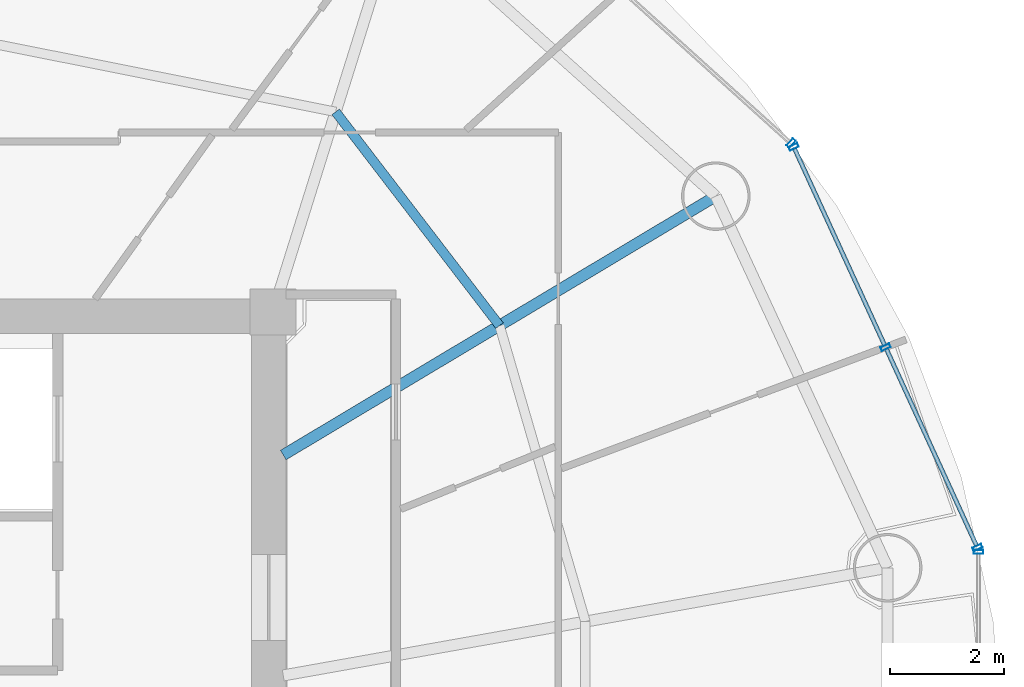
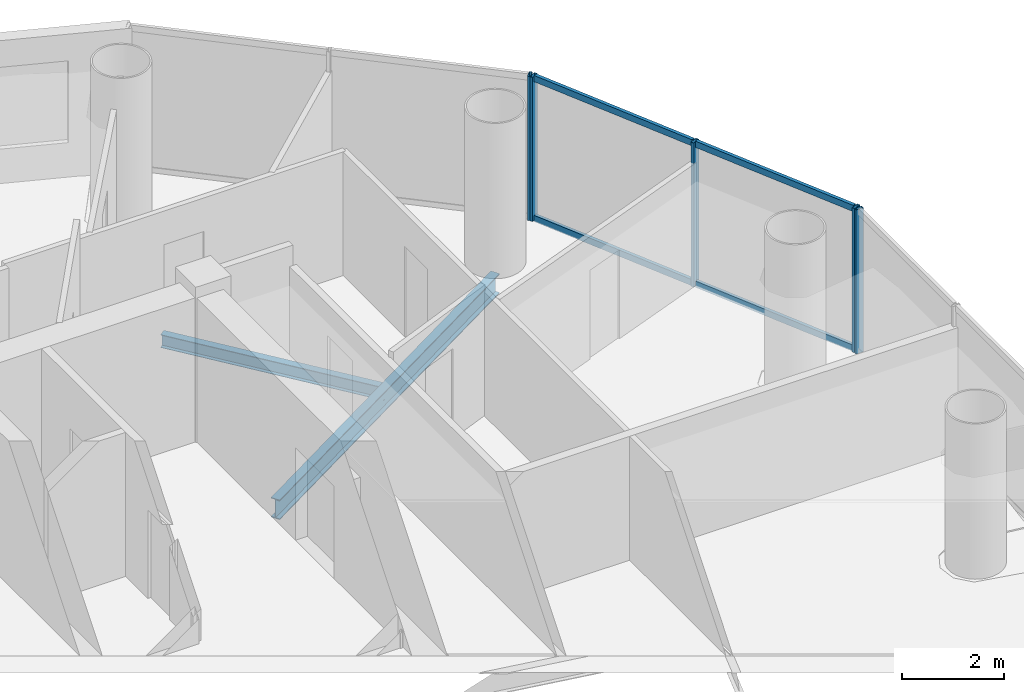
# One storey, part 13 of 26: 9 members, 2 beams, 3 elements without a shape of their own.
"""IFC4 building model written with IfcOpenShell, lengths in metres."""

from ifc_helpers import new_model, si_unit, direction, frame, origin, origin_2d, place, context, subcontext, project, spatial, hollow_rectangle, i_section, extrude, source, transform, mapped, material, material_profile, profile_set, type_object, element, aggregate, save


model = new_model("IFC4")

# Units and contexts
model_context = context("Model", 3, precision=1e-05, world=origin(), true_north=direction((-0.2419218956, 0.970295726276)))
body_context = subcontext(model_context, "Body", "Model", "MODEL_VIEW")
ifc_project = project(units=[si_unit("LENGTHUNIT", "METRE"), si_unit("AREAUNIT", "SQUARE_METRE"), si_unit("VOLUMEUNIT", "CUBIC_METRE"), si_unit("PLANEANGLEUNIT", "RADIAN"), si_unit("MASSUNIT", "GRAM", prefix="KILO")], contexts=[model_context])

# Site, building, storey
site_placement = place(None, origin())
site = spatial("IfcSite", under=ifc_project, at=site_placement, CompositionType="ELEMENT")
building_placement = place(site_placement, origin())
building = spatial("IfcBuilding", under=site, at=building_placement, Name="Cobrevalo Terracotta Tower", CompositionType="ELEMENT")
storey_placement = place(building_placement, frame((0.0, 0.0, 220.800048828125)))
storey = spatial("IfcBuildingStorey", under=building, at=storey_placement, Name="L58", CompositionType="ELEMENT", Elevation=220.800048828125)

# Beams
ifc_material_1 = material(Name="Steel S355", Category="steel")
ifc_material_profile_1 = material_profile(ifc_material_1, i_section(OverallWidth=0.194091796875, OverallDepth=0.468994140625, WebThickness=0.011474609375, FlangeThickness=0.0205078125, at=origin_2d()), Name="W 460x106")
ifc_profile_set_1 = profile_set([ifc_material_profile_1], Name="Steel S355")
beam_type_1 = type_object("IfcBeamType", Name="Structural Beam W 460x106 (Steel S355)", PredefinedType="BEAM", material=ifc_profile_set_1)
beam_1_placement = place(storey_placement, frame((54.754150390625, 36.828125, -0.49951171875), z_axis=(-0.858046392192, -0.513572184651, 0.0), x_axis=(0.513572184651, -0.858046392192, 0.0)))
element("IfcBeam", 1, at=beam_1_placement, inside=storey, type_object=beam_type_1, Name="L58 radial floor girder 02", PredefinedType="BEAM", context=body_context, shape_type="SweptSolid", body=[
    extrude(i_section(OverallWidth=0.194091796875, OverallDepth=0.468994140625, WebThickness=0.011474609375, FlangeThickness=0.0205078125, at=origin_2d()), origin(), (0.0, 0.0, 1.0), 8.827392578125),
])
ifc_material_profile_2 = material_profile(ifc_material_1, i_section(OverallWidth=0.1650390625, OverallDepth=0.31005859375, WebThickness=0.005859375, FlangeThickness=0.009765625, at=origin_2d()), Name="W 310x38.7")
ifc_profile_set_2 = profile_set([ifc_material_profile_2], Name="Steel S355")
beam_type_2 = type_object("IfcBeamType", Name="Structural Joist W 310x38.7 (Steel S355)", PredefinedType="JOIST", material=ifc_profile_set_2)
beam_2_placement = place(storey_placement, frame((50.967041015625, 34.561279296875, -0.420166015625), z_axis=(-0.608464146296, 0.793581364872, 0.0), x_axis=(-0.793581364872, -0.608464146296, 0.0)))
element("IfcBeam", 2, at=beam_2_placement, inside=storey, type_object=beam_type_2, Name="L58 circumferential secondary floor joist 02", PredefinedType="JOIST", context=body_context, shape_type="SweptSolid", body=[
    extrude(i_section(OverallWidth=0.1650390625, OverallDepth=0.31005859375, WebThickness=0.005859375, FlangeThickness=0.009765625, at=origin_2d()), origin(), (0.0, 0.0, 1.0), 4.716064453125),
])

# Curtain wall, members
ifc_material_2 = material(Name="Anodized aluminium", Category="aluminium")
curtain_wall_type = type_object("IfcCurtainWallType", Name="Mid-tower high-wind unitised curtain wall CW-U2", PredefinedType="NOTDEFINED", material=ifc_material_2)
curtain_wall_1_placement = place(storey_placement, origin())
curtain_wall_1 = element("IfcCurtainWall", 3, at=curtain_wall_1_placement, inside=storey, type_object=curtain_wall_type, Name="L58 curtain wall CW-L58-S01", PredefinedType="NOTDEFINED")
ifc_material_profile_3 = material_profile(ifc_material_2, hollow_rectangle(XDim=0.074951171875, YDim=0.14990234375, WallThickness=0.00439453125, at=origin_2d()), Name="CWT 75x150")
ifc_profile_set_3 = profile_set([ifc_material_profile_3], Name="Anodized aluminium")
member_type_1 = type_object("IfcMemberType", Name="Tower unitised aluminium transom 75x150", PredefinedType="USERDEFINED", material=ifc_profile_set_3)
shared_shape_1 = source(origin(), body_context, "Body", "SweptSolid", [
    extrude(hollow_rectangle(XDim=0.074951171875, YDim=0.14990234375, WallThickness=0.00439453125, at=origin_2d()), origin(), (0.0, 0.0, 1.0), 3.780029296875),
])
member_1_placement = place(storey_placement, frame((59.318359375, 30.710205078125, 0.050048828125), z_axis=(-0.416705859352, 0.909041377926, 0.0), x_axis=(-0.909041377926, -0.416705859352, 0.0)))
member_1 = element("IfcMember", 4, at=member_1_placement, type_object=member_type_1, Name="CW-L58-S01 transom B01-T1", ObjectType="TRANSOM", PredefinedType="USERDEFINED", context=body_context, shape_type="MappedRepresentation", body=[
    mapped(shared_shape_1, transform((0.0, 0.0, 0.0), scale=1.0)),
])
member_2_placement = place(storey_placement, frame((59.318359375, 30.710205078125, 3.385009765625), z_axis=(-0.416705859352, 0.909041377926, 0.0), x_axis=(-0.909041377926, -0.416705859352, 0.0)))
member_2 = element("IfcMember", 5, at=member_2_placement, type_object=member_type_1, Name="CW-L58-S01 transom B01-T2", ObjectType="TRANSOM", PredefinedType="USERDEFINED", context=body_context, shape_type="MappedRepresentation", body=[
    mapped(shared_shape_1, transform((0.0, 0.0, 0.0), scale=1.0)),
])
member_3_placement = place(storey_placement, frame((57.709716796875, 34.218994140625, 0.050048828125), z_axis=(-0.416705859352, 0.909041377926, 0.0), x_axis=(-0.909041377926, -0.416705859352, 0.0)))
member_3 = element("IfcMember", 6, at=member_3_placement, type_object=member_type_1, Name="CW-L58-S01 transom B02-T1", ObjectType="TRANSOM", PredefinedType="USERDEFINED", context=body_context, shape_type="MappedRepresentation", body=[
    mapped(shared_shape_1, transform((0.0, 0.0, 0.0), scale=1.0)),
])
member_4_placement = place(storey_placement, frame((57.709716796875, 34.218994140625, 3.385009765625), z_axis=(-0.416705859352, 0.909041377926, 0.0), x_axis=(-0.909041377926, -0.416705859352, 0.0)))
member_4 = element("IfcMember", 7, at=member_4_placement, type_object=member_type_1, Name="CW-L58-S01 transom B02-T2", ObjectType="TRANSOM", PredefinedType="USERDEFINED", context=body_context, shape_type="MappedRepresentation", body=[
    mapped(shared_shape_1, transform((0.0, 0.0, 0.0), scale=1.0)),
])
ifc_material_profile_4 = material_profile(ifc_material_2, hollow_rectangle(XDim=0.070068359375, YDim=0.169921875, WallThickness=0.00439453125, at=origin_2d()), Name="CWM 70x170")
ifc_profile_set_4 = profile_set([ifc_material_profile_4], Name="Anodized aluminium")
member_type_2 = type_object("IfcMemberType", Name="Upper tower unitised mullion 70x170", PredefinedType="MULLION", material=ifc_profile_set_4)
shared_shape_2 = source(origin(), body_context, "Body", "SweptSolid", [
    extrude(hollow_rectangle(XDim=0.070068359375, YDim=0.169921875, WallThickness=0.00439453125, at=origin_2d()), origin(), (0.0, 0.0, 1.0), 3.43505859375),
])
member_5_placement = place(storey_placement, frame((59.3349609375, 30.673828125, 0.0), z_axis=(0.0, 0.0, 1.0), x_axis=(-0.41672507912, 0.909032567311, 0.0)))
member_5 = element("IfcMember", 8, at=member_5_placement, type_object=member_type_2, Name="CW-L58-S01 vertical mullion 01", PredefinedType="MULLION", context=body_context, shape_type="MappedRepresentation", body=[
    mapped(shared_shape_2, transform((0.0, 0.0, 0.0), scale=1.0)),
])
member_6_placement = place(storey_placement, frame((57.726318359375, 34.182861328125, 0.0), z_axis=(0.0, 0.0, 1.0), x_axis=(-0.41672507912, 0.909032567311, 0.0)))
member_6 = element("IfcMember", 9, at=member_6_placement, type_object=member_type_2, Name="CW-L58-S01 vertical mullion 02", PredefinedType="MULLION", context=body_context, shape_type="MappedRepresentation", body=[
    mapped(shared_shape_2, transform((0.0, 0.0, 0.0), scale=1.0)),
])
member_7_placement = place(storey_placement, frame((56.11767578125, 37.691650390625, 0.0), z_axis=(0.0, 0.0, 1.0), x_axis=(-0.41672507912, 0.909032567311, 0.0)))
member_7 = element("IfcMember", 10, at=member_7_placement, type_object=member_type_2, Name="CW-L58-S01 vertical mullion 03", PredefinedType="MULLION", context=body_context, shape_type="MappedRepresentation", body=[
    mapped(shared_shape_2, transform((0.0, 0.0, 0.0), scale=1.0)),
])
aggregate(curtain_wall_1, [member_5, member_6, member_7, member_1, member_2, member_3, member_4])

# Curtain wall, member
curtain_wall_2_placement = place(storey_placement, origin())
curtain_wall_2 = element("IfcCurtainWall", 11, at=curtain_wall_2_placement, inside=storey, type_object=curtain_wall_type, Name="L58 curtain wall CW-L58-S02", PredefinedType="NOTDEFINED")
member_8_placement = place(storey_placement, frame((56.071533203125, 37.7548828125, 0.0), z_axis=(0.0, 0.0, 1.0), x_axis=(-0.741987542015, 0.670413668935, 0.0)))
member_8 = element("IfcMember", 12, at=member_8_placement, type_object=member_type_2, Name="CW-L58-S02 vertical mullion 01", PredefinedType="MULLION", context=body_context, shape_type="MappedRepresentation", body=[
    mapped(shared_shape_2, transform((0.0, 0.0, 0.0), scale=1.0)),
])
aggregate(curtain_wall_2, [member_8])

curtain_wall_3_placement = place(storey_placement, origin())
curtain_wall_3 = element("IfcCurtainWall", 13, at=curtain_wall_3_placement, inside=storey, type_object=curtain_wall_type, Name="L58 curtain wall CW-L58-S16", PredefinedType="NOTDEFINED")
member_9_placement = place(storey_placement, frame((59.351806640625, 30.597412109375, 0.0), z_axis=(0.0, 0.0, 1.0), x_axis=(0.0, 1.0, 0.0)))
member_9 = element("IfcMember", 14, at=member_9_placement, type_object=member_type_2, Name="CW-L58-S16 vertical mullion 03", PredefinedType="MULLION", context=body_context, shape_type="MappedRepresentation", body=[
    mapped(shared_shape_2, transform((0.0, 0.0, 0.0), scale=1.0)),
])
aggregate(curtain_wall_3, [member_9])

save(model, "model.ifc")
